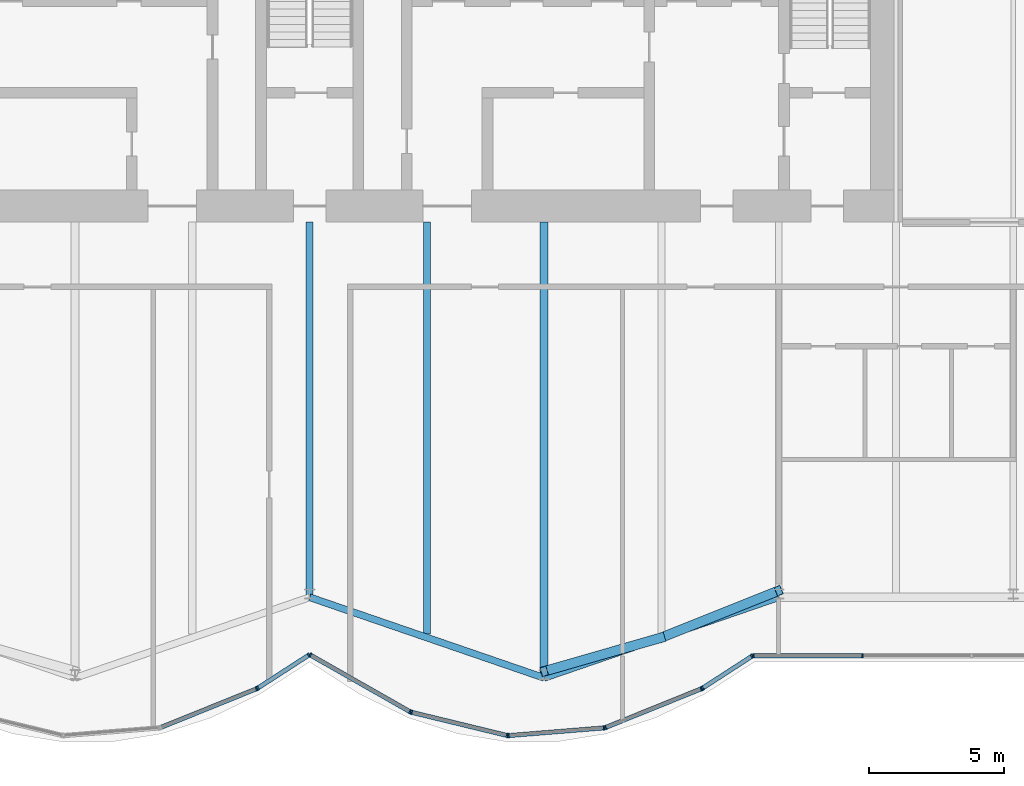
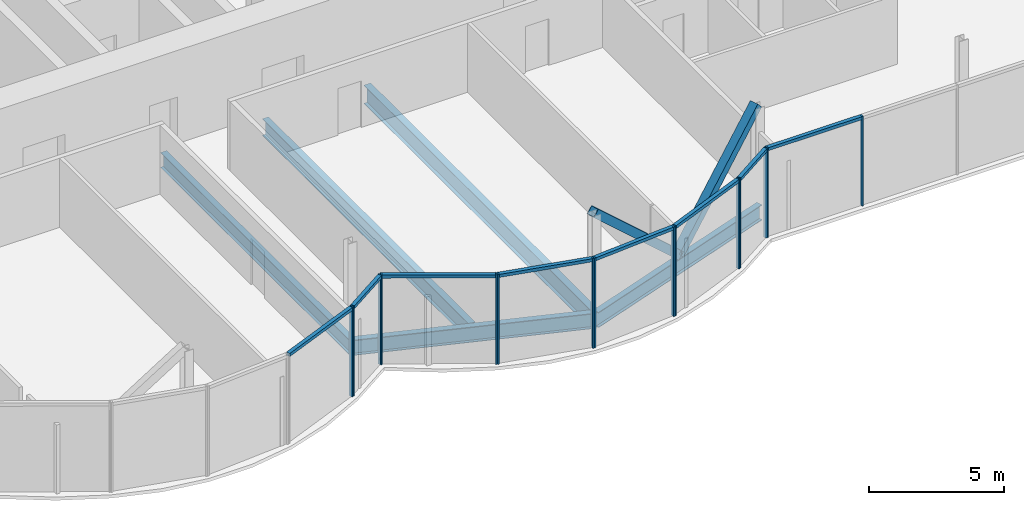
# One storey, part 8 of 19: 25 members, 5 beams, 3 elements without a shape of their own.
"""IFC4 building model written with IfcOpenShell, lengths in metres."""

from ifc_helpers import new_model, si_unit, direction, frame, origin, origin_2d, place, context, subcontext, project, spatial, rectangle, hollow_rectangle, i_section, extrude, material, material_profile, profile_set, type_object, element, aggregate, save


model = new_model("IFC4")

# Units and contexts
model_context = context("Model", 3, precision=1e-05, world=origin(), true_north=direction((0.0, 1.0)))
body_context = subcontext(model_context, "Body", "Model", "MODEL_VIEW")
ifc_project = project(units=[si_unit("LENGTHUNIT", "METRE"), si_unit("AREAUNIT", "SQUARE_METRE"), si_unit("VOLUMEUNIT", "CUBIC_METRE"), si_unit("PLANEANGLEUNIT", "RADIAN"), si_unit("MASSUNIT", "GRAM", prefix="KILO")], contexts=[model_context])

# Site, building, storey
site_placement = place(None, origin())
site = spatial("IfcSite", under=ifc_project, at=site_placement, CompositionType="ELEMENT")
building_placement = place(site_placement, origin())
building = spatial("IfcBuilding", under=site, at=building_placement, Name="Bicima Exchange Tower", CompositionType="ELEMENT")
storey_placement = place(building_placement, frame((0.0, 0.0, 258.199951171875)))
storey = spatial("IfcBuildingStorey", under=building, at=storey_placement, Name="L58", CompositionType="ELEMENT", Elevation=258.199951171875)

# Beams
ifc_material_1 = material(Name="Steel ASTM A992 Gr 50", Category="steel")
ifc_material_profile_1 = material_profile(ifc_material_1, i_section(OverallWidth=0.25390625, OverallDepth=0.67822265625, WebThickness=0.01171875, FlangeThickness=0.016357421875, at=origin_2d()))
ifc_profile_set_1 = profile_set([ifc_material_profile_1], Name="Steel ASTM A992 Gr 50")
beam_type_1 = type_object("IfcBeamType", Name="Floor beam W27x84", PredefinedType="JOIST", material=ifc_profile_set_1)
beam_1_placement = place(storey_placement, frame((0.0, -13.0, -0.489013671875), z_axis=(0.0, -1.0, 0.0), x_axis=(1.0, 0.0, 0.0)))
element("IfcBeam", 1, at=beam_1_placement, inside=storey, type_object=beam_type_1, Name="Floor beam", PredefinedType="JOIST", context=body_context, shape_type="SweptSolid", body=[
    extrude(i_section(OverallWidth=0.25390625, OverallDepth=0.67822265625, WebThickness=0.01171875, FlangeThickness=0.016357421875, at=origin_2d()), origin(), (0.0, 0.0, 1.0), 13.912109375),
])
ifc_material_profile_2 = material_profile(ifc_material_1, i_section(OverallWidth=0.2666015625, OverallDepth=0.75439453125, WebThickness=0.01318359375, FlangeThickness=0.01708984375, at=origin_2d()))
ifc_profile_set_2 = profile_set([ifc_material_profile_2], Name="Steel ASTM A992 Gr 50")
beam_type_2 = type_object("IfcBeamType", Name="Floor beam W30x99", PredefinedType="JOIST", material=ifc_profile_set_2)
beam_2_placement = place(storey_placement, frame((4.35009765625, -13.0, -0.527099609375), z_axis=(0.0, -1.0, 0.0), x_axis=(1.0, 0.0, 0.0)))
element("IfcBeam", 2, at=beam_2_placement, inside=storey, type_object=beam_type_2, Name="Floor beam", PredefinedType="JOIST", context=body_context, shape_type="SweptSolid", body=[
    extrude(i_section(OverallWidth=0.2666015625, OverallDepth=0.75439453125, WebThickness=0.01318359375, FlangeThickness=0.01708984375, at=origin_2d()), origin(), (0.0, 0.0, 1.0), 15.27197265625),
])
ifc_material_profile_3 = material_profile(ifc_material_1, i_section(OverallWidth=0.2919921875, OverallDepth=0.835693359375, WebThickness=0.013916015625, FlangeThickness=0.018798828125, at=origin_2d()))
ifc_profile_set_3 = profile_set([ifc_material_profile_3], Name="Steel ASTM A992 Gr 50")
beam_type_3 = type_object("IfcBeamType", Name="Floor beam W33x118", PredefinedType="JOIST", material=ifc_profile_set_3)
beam_3_placement = place(storey_placement, frame((8.699951171875, -13.0, -0.56787109375), z_axis=(0.0, -1.0, 0.0), x_axis=(1.0, 0.0, 0.0)))
element("IfcBeam", 3, at=beam_3_placement, inside=storey, type_object=beam_type_3, Name="Floor beam", PredefinedType="JOIST", context=body_context, shape_type="SweptSolid", body=[
    extrude(i_section(OverallWidth=0.2919921875, OverallDepth=0.835693359375, WebThickness=0.013916015625, FlangeThickness=0.018798828125, at=origin_2d()), origin(), (0.0, 0.0, 1.0), 16.767333984375),
])
ifc_material_profile_4 = material_profile(ifc_material_1, i_section(OverallWidth=0.256591796875, OverallDepth=0.693359375, WebThickness=0.014404296875, FlangeThickness=0.023681640625, at=origin_2d()))
ifc_profile_set_4 = profile_set([ifc_material_profile_4], Name="Steel ASTM A992 Gr 50")
beam_type_4 = type_object("IfcBeamType", Name="Front girder W27x114", PredefinedType="BEAM", material=ifc_profile_set_4)
for number, where, z_axis, x_axis, name in (
    (4, (0.0, -26.912109375, -0.49658203125), (0.945674616091, -0.32511462668, 0.0), (0.32511462668, 0.945674616091, 0.0), "Front girder"),
    (5, (8.699951171875, -29.903076171875, -0.49658203125), (0.945674616091, 0.32511462668, 0.0), (-0.32511462668, 0.945674616091, 0.0), "Front girder"),
):
    element("IfcBeam", number, at=place(storey_placement, frame(where, z_axis=z_axis, x_axis=x_axis)), inside=storey, type_object=beam_type_4, Name=name, PredefinedType="BEAM", context=body_context, shape_type="SweptSolid", body=[
        extrude(i_section(OverallWidth=0.256591796875, OverallDepth=0.693359375, WebThickness=0.014404296875, FlangeThickness=0.023681640625, at=origin_2d()), origin(), (0.0, 0.0, 1.0), 9.19970703125),
    ])

# Curtain wall, members
ifc_material_2 = material(Name="Anodised bronze aluminium", Category="aluminium")
curtain_wall_type = type_object("IfcCurtainWallType", Name="Front glass wall", PredefinedType="NOTDEFINED", material=ifc_material_2)
curtain_wall_1_placement = place(storey_placement, origin())
curtain_wall_1 = element("IfcCurtainWall", 6, at=curtain_wall_1_placement, inside=storey, type_object=curtain_wall_type, Name="Front glass wall L58 run 6", PredefinedType="NOTDEFINED")
ifc_material_profile_5 = material_profile(ifc_material_2, rectangle(XDim=0.159912109375, YDim=0.06005859375, at=origin_2d()))
ifc_profile_set_5 = profile_set([ifc_material_profile_5], Name="Anodised bronze aluminium")
member_type_1 = type_object("IfcMemberType", Name="Front glass wall mullion 60 x 160", PredefinedType="MULLION", material=ifc_profile_set_5)
member_1_placement = place(storey_placement, frame((-1.97412109375, -30.3076171875, 0.0), z_axis=(0.0, 0.0, 1.0), x_axis=(-0.374705304, 0.92714396679, 0.0)))
member_1 = element("IfcMember", 7, at=member_1_placement, type_object=member_type_1, Name="Front glass wall mullion 2", PredefinedType="MULLION", context=body_context, shape_type="SweptSolid", body=[
    extrude(rectangle(XDim=0.159912109375, YDim=0.06005859375, at=origin_2d()), origin(), (0.0, 0.0, 1.0), 4.050048828125),
])
member_2_placement = place(storey_placement, frame((-1.921142578125, -30.280029296875, 0.0), z_axis=(0.0, 0.0, 1.0), x_axis=(-0.542897457326, 0.839798994301, 0.0)))
member_2 = element("IfcMember", 8, at=member_2_placement, type_object=member_type_1, Name="Front glass wall mullion 1", PredefinedType="MULLION", context=body_context, shape_type="SweptSolid", body=[
    extrude(rectangle(XDim=0.159912109375, YDim=0.06005859375, at=origin_2d()), origin(), (0.0, 0.0, 1.0), 4.050048828125),
])
member_3_placement = place(storey_placement, frame((-0.025146484375, -29.054443359375, 0.0), z_axis=(0.0, 0.0, 1.0), x_axis=(-0.542897457326, 0.839798994301, 0.0)))
member_3 = element("IfcMember", 9, at=member_3_placement, type_object=member_type_1, Name="Front glass wall mullion 2", PredefinedType="MULLION", context=body_context, shape_type="SweptSolid", body=[
    extrude(rectangle(XDim=0.159912109375, YDim=0.06005859375, at=origin_2d()), origin(), (0.0, 0.0, 1.0), 4.050048828125),
])

curtain_wall_2_placement = place(storey_placement, origin())
curtain_wall_2 = element("IfcCurtainWall", 10, at=curtain_wall_2_placement, inside=storey, type_object=curtain_wall_type, Name="Front glass wall L58 run 11", PredefinedType="NOTDEFINED")
member_4_placement = place(storey_placement, frame((0.026123046875, -29.052978515625, 0.0), z_axis=(0.0, 0.0, 1.0), x_axis=(0.494330311331, 0.869274147378, 0.0)))
member_4 = element("IfcMember", 11, at=member_4_placement, type_object=member_type_1, Name="Front glass wall mullion 1", PredefinedType="MULLION", context=body_context, shape_type="SweptSolid", body=[
    extrude(rectangle(XDim=0.159912109375, YDim=0.06005859375, at=origin_2d()), origin(), (0.0, 0.0, 1.0), 4.050048828125),
])
member_5_placement = place(storey_placement, frame((3.7265625, -31.157470703125, 0.0), z_axis=(0.0, 0.0, 1.0), x_axis=(0.494330311331, 0.869274147378, 0.0)))
member_5 = element("IfcMember", 12, at=member_5_placement, type_object=member_type_1, Name="Front glass wall mullion 2", PredefinedType="MULLION", context=body_context, shape_type="SweptSolid", body=[
    extrude(rectangle(XDim=0.159912109375, YDim=0.06005859375, at=origin_2d()), origin(), (0.0, 0.0, 1.0), 4.050048828125),
])
member_6_placement = place(storey_placement, frame((3.781982421875, -31.17919921875, 0.0), z_axis=(0.0, 0.0, 1.0), x_axis=(0.235681529503, 0.971830343553, 0.0)))
member_6 = element("IfcMember", 13, at=member_6_placement, type_object=member_type_1, Name="Front glass wall mullion 1", PredefinedType="MULLION", context=body_context, shape_type="SweptSolid", body=[
    extrude(rectangle(XDim=0.159912109375, YDim=0.06005859375, at=origin_2d()), origin(), (0.0, 0.0, 1.0), 4.050048828125),
])
member_7_placement = place(storey_placement, frame((7.322509765625, -32.037841796875, 0.0), z_axis=(0.0, 0.0, 1.0), x_axis=(0.235681529503, 0.971830343553, 0.0)))
member_7 = element("IfcMember", 14, at=member_7_placement, type_object=member_type_1, Name="Front glass wall mullion 2", PredefinedType="MULLION", context=body_context, shape_type="SweptSolid", body=[
    extrude(rectangle(XDim=0.159912109375, YDim=0.06005859375, at=origin_2d()), origin(), (0.0, 0.0, 1.0), 4.050048828125),
])
member_8_placement = place(storey_placement, frame((7.381591796875, -32.04248046875, 0.0), z_axis=(0.0, 0.0, 1.0), x_axis=(-0.080588612633, 0.99674744821, 0.0)))
member_8 = element("IfcMember", 15, at=member_8_placement, type_object=member_type_1, Name="Front glass wall mullion 1", PredefinedType="MULLION", context=body_context, shape_type="SweptSolid", body=[
    extrude(rectangle(XDim=0.159912109375, YDim=0.06005859375, at=origin_2d()), origin(), (0.0, 0.0, 1.0), 4.050048828125),
])
member_9_placement = place(storey_placement, frame((10.916015625, -31.7568359375, 0.0), z_axis=(0.0, 0.0, 1.0), x_axis=(-0.080588612633, 0.99674744821, 0.0)))
member_9 = element("IfcMember", 16, at=member_9_placement, type_object=member_type_1, Name="Front glass wall mullion 2", PredefinedType="MULLION", context=body_context, shape_type="SweptSolid", body=[
    extrude(rectangle(XDim=0.159912109375, YDim=0.06005859375, at=origin_2d()), origin(), (0.0, 0.0, 1.0), 4.050048828125),
])
member_10_placement = place(storey_placement, frame((10.973876953125, -31.7431640625, 0.0), z_axis=(0.0, 0.0, 1.0), x_axis=(-0.374705304, 0.92714396679, 0.0)))
member_10 = element("IfcMember", 17, at=member_10_placement, type_object=member_type_1, Name="Front glass wall mullion 1", PredefinedType="MULLION", context=body_context, shape_type="SweptSolid", body=[
    extrude(rectangle(XDim=0.159912109375, YDim=0.06005859375, at=origin_2d()), origin(), (0.0, 0.0, 1.0), 4.050048828125),
])
member_11_placement = place(storey_placement, frame((14.52587890625, -30.3076171875, 0.0), z_axis=(0.0, 0.0, 1.0), x_axis=(-0.374705304, 0.92714396679, 0.0)))
member_11 = element("IfcMember", 18, at=member_11_placement, type_object=member_type_1, Name="Front glass wall mullion 2", PredefinedType="MULLION", context=body_context, shape_type="SweptSolid", body=[
    extrude(rectangle(XDim=0.159912109375, YDim=0.06005859375, at=origin_2d()), origin(), (0.0, 0.0, 1.0), 4.050048828125),
])
member_12_placement = place(storey_placement, frame((14.578857421875, -30.280029296875, 0.0), z_axis=(0.0, 0.0, 1.0), x_axis=(-0.542909183079, 0.839791413941, 0.0)))
member_12 = element("IfcMember", 19, at=member_12_placement, type_object=member_type_1, Name="Front glass wall mullion 1", PredefinedType="MULLION", context=body_context, shape_type="SweptSolid", body=[
    extrude(rectangle(XDim=0.159912109375, YDim=0.06005859375, at=origin_2d()), origin(), (0.0, 0.0, 1.0), 4.050048828125),
])
member_13_placement = place(storey_placement, frame((16.406982421875, -29.098388671875, 0.0), z_axis=(0.0, 0.0, 1.0), x_axis=(-0.542909183079, 0.839791413941, 0.0)))
member_13 = element("IfcMember", 20, at=member_13_placement, type_object=member_type_1, Name="Front glass wall mullion 2", PredefinedType="MULLION", context=body_context, shape_type="SweptSolid", body=[
    extrude(rectangle(XDim=0.159912109375, YDim=0.06005859375, at=origin_2d()), origin(), (0.0, 0.0, 1.0), 4.050048828125),
])

curtain_wall_3_placement = place(storey_placement, origin())
curtain_wall_3 = element("IfcCurtainWall", 21, at=curtain_wall_3_placement, inside=storey, type_object=curtain_wall_type, Name="Front glass wall L58 run 16", PredefinedType="NOTDEFINED")
member_14_placement = place(storey_placement, frame((16.462158203125, -29.08203125, 0.0), z_axis=(0.0, 0.0, 1.0), x_axis=(0.0, 1.0, 0.0)))
member_14 = element("IfcMember", 22, at=member_14_placement, type_object=member_type_1, Name="Front glass wall mullion 1", PredefinedType="MULLION", context=body_context, shape_type="SweptSolid", body=[
    extrude(rectangle(XDim=0.159912109375, YDim=0.06005859375, at=origin_2d()), origin(), (0.0, 0.0, 1.0), 4.050048828125),
])
member_15_placement = place(storey_placement, frame((20.51171875, -29.08203125, 0.0), z_axis=(0.0, 0.0, 1.0), x_axis=(0.0, 1.0, 0.0)))
member_15 = element("IfcMember", 23, at=member_15_placement, type_object=member_type_1, Name="Front glass wall mullion 2", PredefinedType="MULLION", context=body_context, shape_type="SweptSolid", body=[
    extrude(rectangle(XDim=0.159912109375, YDim=0.06005859375, at=origin_2d()), origin(), (0.0, 0.0, 1.0), 4.050048828125),
])

# Member
ifc_material_profile_6 = material_profile(ifc_material_2, rectangle(XDim=0.159912109375, YDim=0.139892578125, at=origin_2d()))
ifc_profile_set_6 = profile_set([ifc_material_profile_6], Name="Anodised bronze aluminium")
member_type_2 = type_object("IfcMemberType", Name="Front glass wall transom 140 x 160", PredefinedType="USERDEFINED", material=ifc_profile_set_6)
member_16_placement = place(storey_placement, frame((-5.498291015625, -31.73193359375, 3.97998046875), z_axis=(0.927140215882, 0.374714584842, 0.0), x_axis=(-0.374714584842, 0.927140215882, 0.0)))
member_16 = element("IfcMember", 24, at=member_16_placement, type_object=member_type_2, Name="Front glass wall transom 1.1", ObjectType="TRANSOM", PredefinedType="USERDEFINED", context=body_context, shape_type="SweptSolid", body=[
    extrude(rectangle(XDim=0.159912109375, YDim=0.139892578125, at=origin_2d()), origin(), (0.0, 0.0, 1.0), 3.77099609375),
])

member_17_placement = place(storey_placement, frame((-1.89599609375, -30.263916015625, 3.97998046875), z_axis=(0.839811483481, 0.542878137536, 0.0), x_axis=(-0.542878137536, 0.839811483481, 0.0)))
member_17 = element("IfcMember", 25, at=member_17_placement, type_object=member_type_2, Name="Front glass wall transom 1.1", ObjectType="TRANSOM", PredefinedType="USERDEFINED", context=body_context, shape_type="SweptSolid", body=[
    extrude(rectangle(XDim=0.159912109375, YDim=0.139892578125, at=origin_2d()), origin(), (0.0, 0.0, 1.0), 2.19775390625),
])

aggregate(curtain_wall_1, [member_1, member_16, member_2, member_3, member_17])

member_18_placement = place(storey_placement, frame((0.05224609375, -29.06787109375, 3.97998046875), z_axis=(0.869265121745, -0.494346182466, 0.0), x_axis=(0.494346182466, 0.869265121745, 0.0)))
member_18 = element("IfcMember", 26, at=member_18_placement, type_object=member_type_2, Name="Front glass wall transom 1.1", ObjectType="TRANSOM", PredefinedType="USERDEFINED", context=body_context, shape_type="SweptSolid", body=[
    extrude(rectangle(XDim=0.159912109375, YDim=0.139892578125, at=origin_2d()), origin(), (0.0, 0.0, 1.0), 4.19677734375),
])

member_19_placement = place(storey_placement, frame((3.81103515625, -31.186279296875, 3.97998046875), z_axis=(0.971817951661, -0.235732621477, 0.0), x_axis=(0.235732621477, 0.971817951661, 0.0)))
member_19 = element("IfcMember", 27, at=member_19_placement, type_object=member_type_2, Name="Front glass wall transom 1.1", ObjectType="TRANSOM", PredefinedType="USERDEFINED", context=body_context, shape_type="SweptSolid", body=[
    extrude(rectangle(XDim=0.159912109375, YDim=0.139892578125, at=origin_2d()), origin(), (0.0, 0.0, 1.0), 3.58349609375),
])

member_20_placement = place(storey_placement, frame((7.41162109375, -32.040283203125, 3.97998046875), z_axis=(0.9967456465, 0.080610893699, 0.0), x_axis=(-0.080610893699, 0.9967456465, 0.0)))
member_20 = element("IfcMember", 28, at=member_20_placement, type_object=member_type_2, Name="Front glass wall transom 1.1", ObjectType="TRANSOM", PredefinedType="USERDEFINED", context=body_context, shape_type="SweptSolid", body=[
    extrude(rectangle(XDim=0.159912109375, YDim=0.139892578125, at=origin_2d()), origin(), (0.0, 0.0, 1.0), 3.48583984375),
])

member_21_placement = place(storey_placement, frame((11.001708984375, -31.73193359375, 3.97998046875), z_axis=(0.927140215882, 0.374714584842, 0.0), x_axis=(-0.374714584842, 0.927140215882, 0.0)))
member_21 = element("IfcMember", 29, at=member_21_placement, type_object=member_type_2, Name="Front glass wall transom 1.1", ObjectType="TRANSOM", PredefinedType="USERDEFINED", context=body_context, shape_type="SweptSolid", body=[
    extrude(rectangle(XDim=0.159912109375, YDim=0.139892578125, at=origin_2d()), origin(), (0.0, 0.0, 1.0), 3.77099609375),
])

member_22_placement = place(storey_placement, frame((14.60400390625, -30.263916015625, 3.97998046875), z_axis=(0.839740302602, 0.542988235771, 0.0), x_axis=(-0.542988235771, 0.839740302602, 0.0)))
member_22 = element("IfcMember", 30, at=member_22_placement, type_object=member_type_2, Name="Front glass wall transom 1.1", ObjectType="TRANSOM", PredefinedType="USERDEFINED", context=body_context, shape_type="SweptSolid", body=[
    extrude(rectangle(XDim=0.159912109375, YDim=0.139892578125, at=origin_2d()), origin(), (0.0, 0.0, 1.0), 2.116943359375),
])

aggregate(curtain_wall_2, [member_4, member_5, member_18, member_6, member_7, member_19, member_8, member_9, member_20, member_10, member_11, member_21, member_12, member_13, member_22])

member_23_placement = place(storey_placement, frame((16.4921875, -29.08203125, 3.97998046875), z_axis=(1.0, 0.0, 0.0), x_axis=(0.0, 1.0, 0.0)))
member_23 = element("IfcMember", 31, at=member_23_placement, type_object=member_type_2, Name="Front glass wall transom 1.1", ObjectType="TRANSOM", PredefinedType="USERDEFINED", context=body_context, shape_type="SweptSolid", body=[
    extrude(rectangle(XDim=0.159912109375, YDim=0.139892578125, at=origin_2d()), origin(), (0.0, 0.0, 1.0), 3.989501953125),
])

aggregate(curtain_wall_3, [member_14, member_15, member_23])

# Members
ifc_material_3 = material(Name="Steel ASTM A572 Gr 50", Category="steel")
ifc_material_profile_7 = material_profile(ifc_material_3, hollow_rectangle(XDim=0.355712890625, YDim=0.355712890625, WallThickness=0.0146484375, at=origin_2d()))
ifc_profile_set_7 = profile_set([ifc_material_profile_7], Name="Steel ASTM A572 Gr 50")
member_type_3 = type_object("IfcMemberType", Name="Mega brace HSS14x14x5/8", PredefinedType="BRACE", material=ifc_profile_set_7)
member_24_placement = place(storey_placement, frame((13.050048828125, -28.407470703125, 0.0), z_axis=(0.691353360339, 0.276471498704, 0.667528307679), x_axis=(-0.371309808925, 0.928509033772, 0.0)))
element("IfcMember", 32, at=member_24_placement, inside=storey, type_object=member_type_3, Name="Mega brace front", PredefinedType="BRACE", context=body_context, shape_type="SweptSolid", body=[
    extrude(hollow_rectangle(XDim=0.355712890625, YDim=0.355712890625, WallThickness=0.0146484375, at=origin_2d()), origin(), (0.0, 0.0, 1.0), 6.291748046875),
])
member_25_placement = place(storey_placement, frame((13.050048828125, -28.407470703125, 0.0), z_axis=(-0.704477663836, -0.202708327674, 0.680162153495), x_axis=(0.276522876258, -0.961007335511, 0.0)))
element("IfcMember", 33, at=member_25_placement, inside=storey, type_object=member_type_3, Name="Mega brace front", PredefinedType="BRACE", context=body_context, shape_type="SweptSolid", body=[
    extrude(hollow_rectangle(XDim=0.355712890625, YDim=0.355712890625, WallThickness=0.0146484375, at=origin_2d()), origin(), (0.0, 0.0, 1.0), 6.1748046875),
])

save(model, "model.ifc")
